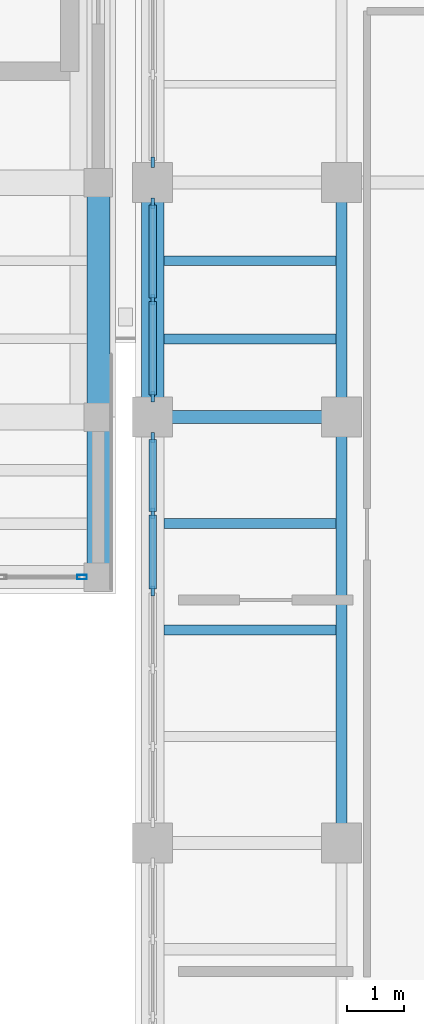
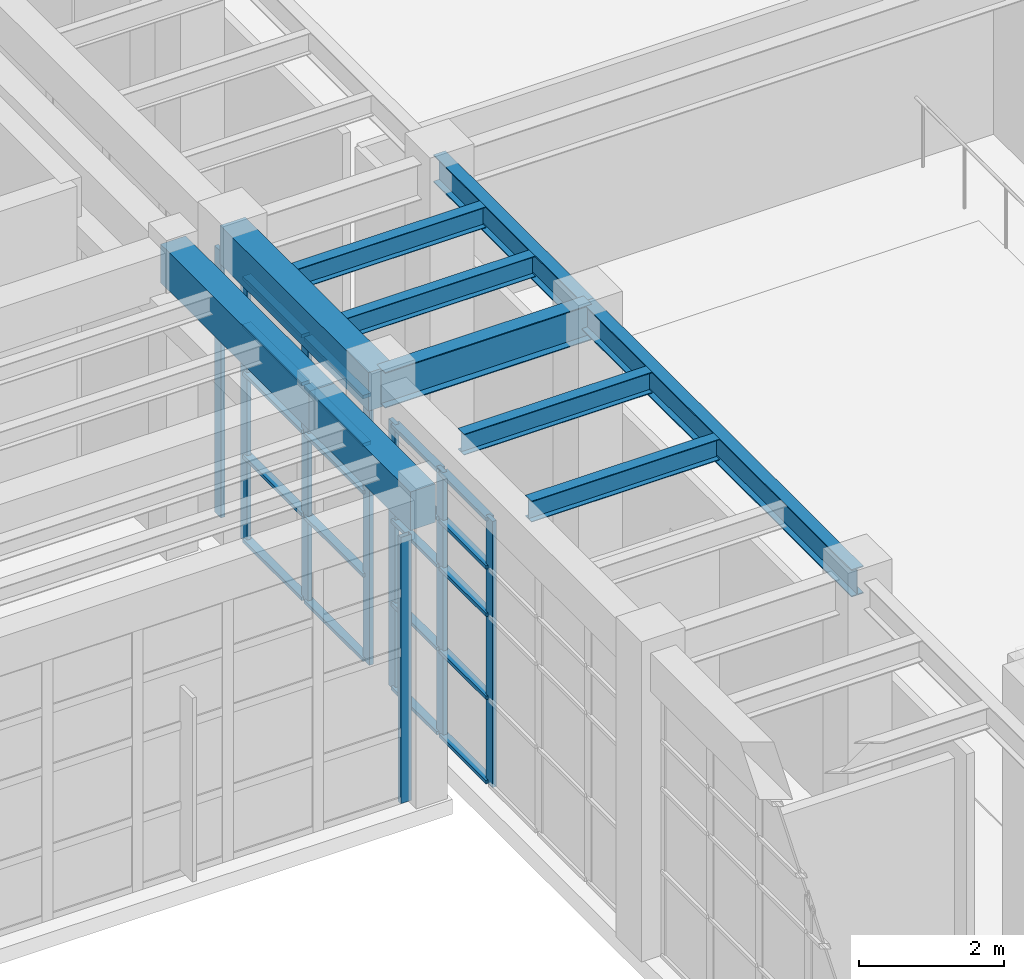
# One storey, part 37 of 103: 28 members, 10 beams, 4 elements without a shape of their own.
"""IFC4 building model written with IfcOpenShell, lengths in metres."""

import ifcopenshell
import ifcopenshell.guid

model = None  # the IFC model being written
_history = None  # IfcOwnerHistory: only IFC2X3 demands one
_inside = {}  # id of a spatial element -> (the spatial element, [elements in it])
_under = {}  # id of a project, library or spatial element -> (it, [spatial elements below it])
_declared = {}  # id of a project -> (the project, [libraries it declares])
_typed = {}  # id of a type object -> (the type object, [elements of that type])
_made_of = {}  # id of a material, layer set ... -> (it, [elements and type objects made of it])


def new_model(schema):
    """Start an empty IFC model of exactly this schema.

    Asked for "IFC4X3", IfcOpenShell would pick the latest addendum, in which some entities
    have other attributes; the version numbers below select the first issue.
    IFC2X3 requires an IfcOwnerHistory on every rooted entity: one is made here for all.
    """
    global model, _history
    if schema == "IFC4X3":
        model = ifcopenshell.file(schema_version=(4, 3, 0, 0))
    else:
        model = ifcopenshell.file(schema=schema)
    _inside.clear()
    _under.clear()
    _declared.clear()
    _typed.clear()
    _made_of.clear()
    _history = None
    if model.schema == "IFC2X3":
        org = make("IfcOrganization", Name="unknown")
        user = make(
            "IfcPersonAndOrganization",
            ThePerson=make("IfcPerson", FamilyName="unknown"),
            TheOrganization=org,
        )
        app = make(
            "IfcApplication",
            ApplicationDeveloper=org,
            Version="unknown",
            ApplicationFullName="unknown",
            ApplicationIdentifier="unknown",
        )
        _history = make(
            "IfcOwnerHistory",
            OwningUser=user,
            OwningApplication=app,
            ChangeAction="ADDED",
            CreationDate=0,
        )
    return model


def make(cls, **values):
    """One entity of the class cls with the attributes given. An attribute that is None is left unset."""
    return model.create_entity(
        cls, **{name: value for name, value in values.items() if value is not None}
    )


def rooted(cls, **values):
    """An entity with a GlobalId (a new one), such as an element, a storey or a relation."""
    return make(cls, GlobalId=ifcopenshell.guid.new(), OwnerHistory=_history, **values)


def si_unit(unit_type, name, prefix=None):
    """IfcSIUnit, for example si_unit("LENGTHUNIT", "METRE", prefix="MILLI")."""
    return make("IfcSIUnit", UnitType=unit_type, Prefix=prefix, Name=name)


def assignment(units):
    """IfcUnitAssignment: the units of a project."""
    return None if units is None else make("IfcUnitAssignment", Units=units)


def point(xyz):
    """IfcCartesianPoint."""
    return None if xyz is None else make("IfcCartesianPoint", Coordinates=xyz)


def direction(xyz):
    """IfcDirection."""
    return None if xyz is None else make("IfcDirection", DirectionRatios=xyz)


def frame(location, z_axis=None, x_axis=None):
    """IfcAxis2Placement3D, a coordinate frame: its origin and axes. An axis left out is left unset."""
    return make(
        "IfcAxis2Placement3D",
        Location=point(location),
        Axis=direction(z_axis),
        RefDirection=direction(x_axis),
    )


def frame_2d(location, x_axis=None):
    """IfcAxis2Placement2D, a coordinate frame in the plane: its origin and x axis."""
    return make(
        "IfcAxis2Placement2D", Location=point(location), RefDirection=direction(x_axis)
    )


def origin():
    """The frame at (0, 0, 0) with its axes left unset."""
    return frame((0.0, 0.0, 0.0))


def origin_2d():
    """The frame at (0, 0) in the plane with its x axis left unset."""
    return frame_2d((0.0, 0.0))


def place(relative_to, where):
    """IfcLocalPlacement: puts the frame where relative to a parent placement (None: the world)."""
    return make(
        "IfcLocalPlacement", PlacementRelTo=relative_to, RelativePlacement=where
    )


def context(
    kind, dimensions, precision=None, world=None, true_north=None, identifier=None
):
    """IfcGeometricRepresentationContext, for example the 3D "Model" context."""
    return make(
        "IfcGeometricRepresentationContext",
        ContextIdentifier=identifier,
        ContextType=kind,
        CoordinateSpaceDimension=dimensions,
        Precision=precision,
        WorldCoordinateSystem=world,
        TrueNorth=true_north,
    )


def subcontext(parent, identifier, kind, view, scale=None):
    """IfcGeometricRepresentationSubContext, for example "Body" below "Model"."""
    return make(
        "IfcGeometricRepresentationSubContext",
        ContextIdentifier=identifier,
        ContextType=kind,
        ParentContext=parent,
        TargetScale=scale,
        TargetView=view,
    )


def project(units=None, contexts=None):
    """IfcProject with its units and contexts."""
    return rooted(
        "IfcProject",
        Name="project",
        RepresentationContexts=contexts,
        UnitsInContext=assignment(units),
    )


def spatial(cls, under=None, at=None, **own):
    """A site, building, storey or space (cls), placed at a placement, below another one or the project."""
    s = rooted(cls, ObjectPlacement=at, **own)
    if under is not None:
        _under.setdefault(under.id(), (under, []))[1].append(s)
    return s


def profile(cls, at=None, kind="AREA", **sizes):
    """A parametric profile (cls). Its sizes go by their IFC names, for example OverallWidth=200.0."""
    return make(cls, ProfileType=kind, Position=at, **sizes)


def rectangle(**sizes):
    """IfcRectangleProfileDef."""
    return profile("IfcRectangleProfileDef", **sizes)


def hollow_rectangle(**sizes):
    """IfcRectangleHollowProfileDef."""
    return profile("IfcRectangleHollowProfileDef", **sizes)


def i_section(**sizes):
    """IfcIShapeProfileDef."""
    return profile("IfcIShapeProfileDef", **sizes)


def extrude(swept, where, along, depth):
    """IfcExtrudedAreaSolid: the profile swept, set in the frame where, extruded along a direction by depth."""
    return make(
        "IfcExtrudedAreaSolid",
        SweptArea=swept,
        Position=where,
        ExtrudedDirection=direction(along),
        Depth=depth,
    )


def shape(context_of_items, identifier, shape_type, items):
    """IfcShapeRepresentation: the items that make up one representation, for example the "Body"."""
    return make(
        "IfcShapeRepresentation",
        ContextOfItems=context_of_items,
        RepresentationIdentifier=identifier,
        RepresentationType=shape_type,
        Items=items,
    )


def material(Name=None, Category=None):
    """IfcMaterial."""
    return make("IfcMaterial", Name=Name, Category=Category)


def layer(
    of_material, thickness, ventilated=None, Name=None, Category=None, Priority=None
):
    """IfcMaterialLayer: one layer of a wall or slab, of a material (None: an air gap)."""
    return make(
        "IfcMaterialLayer",
        Material=of_material,
        LayerThickness=thickness,
        IsVentilated=ventilated,
        Name=Name,
        Category=Category,
        Priority=Priority,
    )


def layer_set(layers, Name=None):
    """IfcMaterialLayerSet."""
    return make("IfcMaterialLayerSet", MaterialLayers=layers, LayerSetName=Name)


def material_profile(
    of_material, cross_section, Name=None, Category=None, Priority=None
):
    """IfcMaterialProfile: a cross section and its material."""
    return make(
        "IfcMaterialProfile",
        Name=Name,
        Material=of_material,
        Profile=cross_section,
        Priority=Priority,
        Category=Category,
    )


def profile_set(profiles, Name=None, composite=None):
    """IfcMaterialProfileSet."""
    return make(
        "IfcMaterialProfileSet",
        Name=Name,
        MaterialProfiles=profiles,
        CompositeProfile=composite,
    )


def made_of(thing, what):
    """Note that an element or type object is made of a material, layer set ...; save() writes the relation."""
    if what is not None:
        _made_of.setdefault(what.id(), (what, []))[1].append(thing)
    return thing


def type_object(cls, material=None, **own):
    """A type object (cls), such as IfcWallType, which elements share."""
    return made_of(rooted(cls, **own), material)


def element(
    cls,
    number,
    at=None,
    inside=None,
    cuts=None,
    type_object=None,
    material=None,
    context=None,
    identifier="Body",
    shape_type=None,
    held_by="IfcProductDefinitionShape",
    body=None,
    shapes=None,
    **own,
):
    """One element of the class cls, such as IfcWall. Its Tag is "e" and its number.

    at: its placement. inside: the storey or other place that contains it. cuts: it is an
    opening in that element (IfcRelVoidsElement). A single representation is given by context,
    identifier, shape_type and body (its items); several are given by shapes. held_by: the class
    of the entity that holds the representations. save() writes the other relations.
    """
    e = rooted(cls, Tag="e%d" % number, ObjectPlacement=at, **own)
    if body is not None:
        shapes = [shape(context, identifier, shape_type, body)]
    if shapes is not None:
        e.Representation = make(held_by, Representations=shapes)
    if inside is not None:
        _inside.setdefault(inside.id(), (inside, []))[1].append(e)
    if cuts is not None:
        rooted(
            "IfcRelVoidsElement", RelatingBuildingElement=cuts, RelatedOpeningElement=e
        )
    if type_object is not None:
        _typed.setdefault(type_object.id(), (type_object, []))[1].append(e)
    return made_of(e, material)


def aggregate(whole, parts):
    """IfcRelAggregates: a whole, such as a stair, and the parts it consists of."""
    return rooted("IfcRelAggregates", RelatingObject=whole, RelatedObjects=parts)


def save(model, path):
    """Write the relations noted so far, then the file.

    IfcRelAggregates (storeys below a building ...), IfcRelContainedInSpatialStructure (elements
    in a storey), IfcRelDefinesByType, IfcRelAssociatesMaterial and IfcRelDeclares: one each for
    every whole, place, type object, material and project.
    """
    for whole, parts in _under.values():
        aggregate(whole, parts)
    for where, things in _inside.values():
        rooted(
            "IfcRelContainedInSpatialStructure",
            RelatedElements=things,
            RelatingStructure=where,
        )
    for kind, things in _typed.values():
        rooted("IfcRelDefinesByType", RelatedObjects=things, RelatingType=kind)
    for what, things in _made_of.values():
        rooted("IfcRelAssociatesMaterial", RelatedObjects=things, RelatingMaterial=what)
    for by, libraries in _declared.values():
        rooted("IfcRelDeclares", RelatingContext=by, RelatedDefinitions=libraries)
    model.write(path)


model = new_model("IFC4")

# Units and contexts
model_context = context("Model", 3, precision=1e-05, world=origin(), true_north=direction((0.0, 1.0)))
body_context = subcontext(model_context, "Body", "Model", "MODEL_VIEW")
ifc_project = project(units=[si_unit("LENGTHUNIT", "METRE"), si_unit("AREAUNIT", "SQUARE_METRE"), si_unit("VOLUMEUNIT", "CUBIC_METRE"), si_unit("PLANEANGLEUNIT", "RADIAN"), si_unit("MASSUNIT", "GRAM", prefix="KILO")], contexts=[model_context])

# Site, building, storey
site_placement = place(None, origin())
site = spatial("IfcSite", under=ifc_project, at=site_placement, CompositionType="ELEMENT")
building_placement = place(site_placement, origin())
building = spatial("IfcBuilding", under=site, at=building_placement, Name="Candilejo Ridge Gondola Terminal", CompositionType="ELEMENT")
storey_placement = place(building_placement, frame((0.0, 0.0, 9.0)))
storey = spatial("IfcBuildingStorey", under=building, at=storey_placement, Name="L02", CompositionType="ELEMENT", Elevation=9.0)

# Curtain wall, member
ifc_material_1 = material(Name="Anodised aluminium AA 6063-T6", Category="aluminium")
ifc_layer_1 = layer(ifc_material_1, 0.169921875)
ifc_layer_set_1 = layer_set([ifc_layer_1], Name="ARC-CW-CONCOURSE-3600-720X449")
curtain_wall_type_1 = type_object("IfcCurtainWallType", Name="ARC-CW-CONCOURSE-3600-720X449", PredefinedType="NOTDEFINED", material=ifc_layer_set_1)
curtain_wall_1_placement = place(storey_placement, origin())
curtain_wall_1 = element("IfcCurtainWall", 1, at=curtain_wall_1_placement, inside=storey, type_object=curtain_wall_type_1, Name="Curtain wall V3 L02-093", PredefinedType="NOTDEFINED")
ifc_material_2 = material(Name="Anodised aluminium AA 6063-T6", Category="aluminium")
ifc_material_profile_1 = material_profile(ifc_material_2, hollow_rectangle(XDim=0.074951171875, YDim=0.169921875, WallThickness=0.00390625, at=origin_2d()))
ifc_profile_set_1 = profile_set([ifc_material_profile_1], Name="Anodised aluminium AA 6063-T6")
member_type_1 = type_object("IfcMemberType", Name="ARC-CW-MULLION", PredefinedType="MULLION", material=ifc_profile_set_1)
member_1_placement = place(storey_placement, frame((132.66259765625, 22.89990234375, 0.0), z_axis=(0.0, 0.0, 1.0), x_axis=(0.0, 1.0, 0.0)))
member_1 = element("IfcMember", 2, at=member_1_placement, type_object=member_type_1, Name="CW-72X44 mullion 6", PredefinedType="MULLION", context=body_context, shape_type="SweptSolid", body=[
    extrude(hollow_rectangle(XDim=0.074951171875, YDim=0.169921875, WallThickness=0.00390625, at=origin_2d()), origin(), (0.0, 0.0, 1.0), 4.489990234375),
])
aggregate(curtain_wall_1, [member_1])

# Curtain wall, members
ifc_material_3 = material(Name="Anodised aluminium AA 6063-T6", Category="aluminium")
ifc_layer_2 = layer(ifc_material_3, 0.169921875)
ifc_layer_set_2 = layer_set([ifc_layer_2], Name="ARC-CW-HALL-3800-680X449")
curtain_wall_type_2 = type_object("IfcCurtainWallType", Name="ARC-CW-HALL-3800-680X449", PredefinedType="NOTDEFINED", material=ifc_layer_set_2)
curtain_wall_2_placement = place(storey_placement, origin())
curtain_wall_2 = element("IfcCurtainWall", 3, at=curtain_wall_2_placement, inside=storey, type_object=curtain_wall_type_2, Name="Curtain wall V4 L02-135", PredefinedType="NOTDEFINED")
ifc_material_4 = material(Name="Anodised aluminium AA 6063-T6", Category="aluminium")
ifc_material_profile_2 = material_profile(ifc_material_4, rectangle(XDim=0.06494140625, YDim=0.179931640625, at=origin_2d()))
ifc_profile_set_2 = profile_set([ifc_material_profile_2], Name="Anodised aluminium AA 6063-T6")
member_type_2 = type_object("IfcMemberType", Name="ARC-CW-MULLION-180", PredefinedType="MULLION", material=ifc_profile_set_2)
member_2_placement = place(storey_placement, frame((133.89990234375, 22.655029296875, 0.0), z_axis=(0.0, 0.0, 1.0), x_axis=(-1.0, 0.0, 0.0)))
member_2 = element("IfcMember", 4, at=member_2_placement, type_object=member_type_2, Name="CW-68X44 mullion 4", PredefinedType="MULLION", context=body_context, shape_type="SweptSolid", body=[
    extrude(rectangle(XDim=0.06494140625, YDim=0.179931640625, at=origin_2d()), origin(), (0.0, 0.0, 1.0), 4.489990234375),
])
member_3_placement = place(storey_placement, frame((133.89990234375, 24.014892578125, 0.0), z_axis=(0.0, 0.0, 1.0), x_axis=(-1.0, 0.0, 0.0)))
member_3 = element("IfcMember", 5, at=member_3_placement, type_object=member_type_2, Name="CW-68X44 mullion 5", PredefinedType="MULLION", context=body_context, shape_type="SweptSolid", body=[
    extrude(rectangle(XDim=0.06494140625, YDim=0.179931640625, at=origin_2d()), origin(), (0.0, 0.0, 1.0), 4.489990234375),
])
member_4_placement = place(storey_placement, frame((133.89990234375, 25.342529296875, 0.0), z_axis=(0.0, 0.0, 1.0), x_axis=(-1.0, 0.0, 0.0)))
member_4 = element("IfcMember", 6, at=member_4_placement, type_object=member_type_2, Name="CW-68X44 mullion 6", PredefinedType="MULLION", context=body_context, shape_type="SweptSolid", body=[
    extrude(rectangle(XDim=0.06494140625, YDim=0.179931640625, at=origin_2d()), origin(), (0.0, 0.0, 1.0), 4.489990234375),
])

ifc_material_5 = material(Name="Anodised aluminium AA 6063-T6", Category="aluminium")
ifc_layer_3 = layer(ifc_material_5, 0.169921875)
ifc_layer_set_3 = layer_set([ifc_layer_3], Name="ARC-CW-HALL-3800-345X449")
curtain_wall_type_3 = type_object("IfcCurtainWallType", Name="ARC-CW-HALL-3800-345X449", PredefinedType="NOTDEFINED", material=ifc_layer_set_3)
curtain_wall_3_placement = place(storey_placement, origin())
curtain_wall_3 = element("IfcCurtainWall", 7, at=curtain_wall_3_placement, inside=storey, type_object=curtain_wall_type_3, Name="Curtain wall V4 L02-137", PredefinedType="NOTDEFINED")
member_5_placement = place(storey_placement, frame((133.89990234375, 26.0576171875, 0.0), z_axis=(0.0, 0.0, 1.0), x_axis=(-1.0, 0.0, 0.0)))
member_5 = element("IfcMember", 8, at=member_5_placement, type_object=member_type_2, Name="CW-34X44 mullion 1", PredefinedType="MULLION", context=body_context, shape_type="SweptSolid", body=[
    extrude(rectangle(XDim=0.06494140625, YDim=0.179931640625, at=origin_2d()), origin(), (0.0, 0.0, 1.0), 4.489990234375),
])
member_6_placement = place(storey_placement, frame((133.89990234375, 27.75, 0.0), z_axis=(0.0, 0.0, 1.0), x_axis=(-1.0, 0.0, 0.0)))
member_6 = element("IfcMember", 9, at=member_6_placement, type_object=member_type_2, Name="CW-34X44 mullion 2", PredefinedType="MULLION", context=body_context, shape_type="SweptSolid", body=[
    extrude(rectangle(XDim=0.06494140625, YDim=0.179931640625, at=origin_2d()), origin(), (0.0, 0.0, 1.0), 4.489990234375),
])
member_7_placement = place(storey_placement, frame((133.89990234375, 29.4423828125, 0.0), z_axis=(0.0, 0.0, 1.0), x_axis=(-1.0, 0.0, 0.0)))
member_7 = element("IfcMember", 10, at=member_7_placement, type_object=member_type_2, Name="CW-34X44 mullion 3", PredefinedType="MULLION", context=body_context, shape_type="SweptSolid", body=[
    extrude(rectangle(XDim=0.06494140625, YDim=0.179931640625, at=origin_2d()), origin(), (0.0, 0.0, 1.0), 4.489990234375),
])

# Curtain wall, member
ifc_material_6 = material(Name="Anodised aluminium AA 6063-T6", Category="aluminium")
ifc_layer_4 = layer(ifc_material_6, 0.169921875)
ifc_layer_set_4 = layer_set([ifc_layer_4], Name="ARC-CW-HALL-3800-625X449")
curtain_wall_type_4 = type_object("IfcCurtainWallType", Name="ARC-CW-HALL-3800-625X449", PredefinedType="NOTDEFINED", material=ifc_layer_set_4)
curtain_wall_4_placement = place(storey_placement, origin())
curtain_wall_4 = element("IfcCurtainWall", 11, at=curtain_wall_4_placement, inside=storey, type_object=curtain_wall_type_4, Name="Curtain wall V4 L02-139", PredefinedType="NOTDEFINED")
member_8_placement = place(storey_placement, frame((133.89990234375, 30.157470703125, 0.0), z_axis=(0.0, 0.0, 1.0), x_axis=(-1.0, 0.0, 0.0)))
member_8 = element("IfcMember", 12, at=member_8_placement, type_object=member_type_2, Name="CW-62X44 mullion 1", PredefinedType="MULLION", context=body_context, shape_type="SweptSolid", body=[
    extrude(rectangle(XDim=0.06494140625, YDim=0.179931640625, at=origin_2d()), origin(), (0.0, 0.0, 1.0), 4.489990234375),
])
aggregate(curtain_wall_4, [member_8])

# Member
ifc_material_7 = material(Name="Anodised aluminium AA 6063-T6", Category="aluminium")
ifc_material_profile_3 = material_profile(ifc_material_7, rectangle(XDim=0.1298828125, YDim=0.06005859375, at=origin_2d()))
ifc_profile_set_3 = profile_set([ifc_material_profile_3], Name="Anodised aluminium AA 6063-T6")
member_type_3 = type_object("IfcMemberType", Name="ARC-CW-TRANSOM-130", PredefinedType="USERDEFINED", material=ifc_profile_set_3)
member_9_placement = place(storey_placement, frame((133.89990234375, 22.6875, 0.030029296875), z_axis=(0.0, 1.0, 0.0), x_axis=(-1.0, 0.0, 0.0)))
member_9 = element("IfcMember", 13, at=member_9_placement, type_object=member_type_3, Name="CW-68X44 transom 4.1", ObjectType="TRANSOM", PredefinedType="USERDEFINED", context=body_context, shape_type="SweptSolid", body=[
    extrude(rectangle(XDim=0.1298828125, YDim=0.06005859375, at=origin_2d()), origin(), (0.0, 0.0, 1.0), 1.294921875),
])

member_10_placement = place(storey_placement, frame((133.89990234375, 22.6875, 1.449951171875), z_axis=(0.0, 1.0, 0.0), x_axis=(-1.0, 0.0, 0.0)))
member_10 = element("IfcMember", 14, at=member_10_placement, type_object=member_type_3, Name="CW-68X44 transom 4.2", ObjectType="TRANSOM", PredefinedType="USERDEFINED", context=body_context, shape_type="SweptSolid", body=[
    extrude(rectangle(XDim=0.1298828125, YDim=0.06005859375, at=origin_2d()), origin(), (0.0, 0.0, 1.0), 1.294921875),
])

member_11_placement = place(storey_placement, frame((133.89990234375, 22.6875, 2.85009765625), z_axis=(0.0, 1.0, 0.0), x_axis=(-1.0, 0.0, 0.0)))
member_11 = element("IfcMember", 15, at=member_11_placement, type_object=member_type_3, Name="CW-68X44 transom 4.3", ObjectType="TRANSOM", PredefinedType="USERDEFINED", context=body_context, shape_type="SweptSolid", body=[
    extrude(rectangle(XDim=0.1298828125, YDim=0.06005859375, at=origin_2d()), origin(), (0.0, 0.0, 1.0), 1.294921875),
])

member_12_placement = place(storey_placement, frame((133.89990234375, 22.6875, 3.64990234375), z_axis=(0.0, 1.0, 0.0), x_axis=(-1.0, 0.0, 0.0)))
member_12 = element("IfcMember", 16, at=member_12_placement, type_object=member_type_3, Name="CW-68X44 transom 4.4", ObjectType="TRANSOM", PredefinedType="USERDEFINED", context=body_context, shape_type="SweptSolid", body=[
    extrude(rectangle(XDim=0.1298828125, YDim=0.06005859375, at=origin_2d()), origin(), (0.0, 0.0, 1.0), 1.294921875),
])

member_13_placement = place(storey_placement, frame((133.89990234375, 22.6875, 4.4599609375), z_axis=(0.0, 1.0, 0.0), x_axis=(-1.0, 0.0, 0.0)))
member_13 = element("IfcMember", 17, at=member_13_placement, type_object=member_type_3, Name="CW-68X44 transom 4.5", ObjectType="TRANSOM", PredefinedType="USERDEFINED", context=body_context, shape_type="SweptSolid", body=[
    extrude(rectangle(XDim=0.1298828125, YDim=0.06005859375, at=origin_2d()), origin(), (0.0, 0.0, 1.0), 1.294921875),
])

member_14_placement = place(storey_placement, frame((133.89990234375, 24.047607421875, 0.030029296875), z_axis=(0.0, 1.0, 0.0), x_axis=(-1.0, 0.0, 0.0)))
member_14 = element("IfcMember", 18, at=member_14_placement, type_object=member_type_3, Name="CW-68X44 transom 5.1", ObjectType="TRANSOM", PredefinedType="USERDEFINED", context=body_context, shape_type="SweptSolid", body=[
    extrude(rectangle(XDim=0.1298828125, YDim=0.06005859375, at=origin_2d()), origin(), (0.0, 0.0, 1.0), 1.262451171875),
])

member_15_placement = place(storey_placement, frame((133.89990234375, 24.047607421875, 1.449951171875), z_axis=(0.0, 1.0, 0.0), x_axis=(-1.0, 0.0, 0.0)))
member_15 = element("IfcMember", 19, at=member_15_placement, type_object=member_type_3, Name="CW-68X44 transom 5.2", ObjectType="TRANSOM", PredefinedType="USERDEFINED", context=body_context, shape_type="SweptSolid", body=[
    extrude(rectangle(XDim=0.1298828125, YDim=0.06005859375, at=origin_2d()), origin(), (0.0, 0.0, 1.0), 1.262451171875),
])

member_16_placement = place(storey_placement, frame((133.89990234375, 24.047607421875, 2.85009765625), z_axis=(0.0, 1.0, 0.0), x_axis=(-1.0, 0.0, 0.0)))
member_16 = element("IfcMember", 20, at=member_16_placement, type_object=member_type_3, Name="CW-68X44 transom 5.3", ObjectType="TRANSOM", PredefinedType="USERDEFINED", context=body_context, shape_type="SweptSolid", body=[
    extrude(rectangle(XDim=0.1298828125, YDim=0.06005859375, at=origin_2d()), origin(), (0.0, 0.0, 1.0), 1.262451171875),
])

member_17_placement = place(storey_placement, frame((133.89990234375, 24.047607421875, 3.64990234375), z_axis=(0.0, 1.0, 0.0), x_axis=(-1.0, 0.0, 0.0)))
member_17 = element("IfcMember", 21, at=member_17_placement, type_object=member_type_3, Name="CW-68X44 transom 5.4", ObjectType="TRANSOM", PredefinedType="USERDEFINED", context=body_context, shape_type="SweptSolid", body=[
    extrude(rectangle(XDim=0.1298828125, YDim=0.06005859375, at=origin_2d()), origin(), (0.0, 0.0, 1.0), 1.262451171875),
])

member_18_placement = place(storey_placement, frame((133.89990234375, 24.047607421875, 4.4599609375), z_axis=(0.0, 1.0, 0.0), x_axis=(-1.0, 0.0, 0.0)))
member_18 = element("IfcMember", 22, at=member_18_placement, type_object=member_type_3, Name="CW-68X44 transom 5.5", ObjectType="TRANSOM", PredefinedType="USERDEFINED", context=body_context, shape_type="SweptSolid", body=[
    extrude(rectangle(XDim=0.1298828125, YDim=0.06005859375, at=origin_2d()), origin(), (0.0, 0.0, 1.0), 1.262451171875),
])

aggregate(curtain_wall_2, [member_2, member_3, member_4, member_9, member_10, member_11, member_12, member_13, member_14, member_15, member_16, member_17, member_18])

member_19_placement = place(storey_placement, frame((133.89990234375, 26.090087890625, 0.030029296875), z_axis=(0.0, 1.0, 0.0), x_axis=(-1.0, 0.0, 0.0)))
member_19 = element("IfcMember", 23, at=member_19_placement, type_object=member_type_3, Name="CW-34X44 transom 1.1", ObjectType="TRANSOM", PredefinedType="USERDEFINED", context=body_context, shape_type="SweptSolid", body=[
    extrude(rectangle(XDim=0.1298828125, YDim=0.06005859375, at=origin_2d()), origin(), (0.0, 0.0, 1.0), 1.62744140625),
])

member_20_placement = place(storey_placement, frame((133.89990234375, 26.090087890625, 1.449951171875), z_axis=(0.0, 1.0, 0.0), x_axis=(-1.0, 0.0, 0.0)))
member_20 = element("IfcMember", 24, at=member_20_placement, type_object=member_type_3, Name="CW-34X44 transom 1.2", ObjectType="TRANSOM", PredefinedType="USERDEFINED", context=body_context, shape_type="SweptSolid", body=[
    extrude(rectangle(XDim=0.1298828125, YDim=0.06005859375, at=origin_2d()), origin(), (0.0, 0.0, 1.0), 1.62744140625),
])

member_21_placement = place(storey_placement, frame((133.89990234375, 26.090087890625, 2.85009765625), z_axis=(0.0, 1.0, 0.0), x_axis=(-1.0, 0.0, 0.0)))
member_21 = element("IfcMember", 25, at=member_21_placement, type_object=member_type_3, Name="CW-34X44 transom 1.3", ObjectType="TRANSOM", PredefinedType="USERDEFINED", context=body_context, shape_type="SweptSolid", body=[
    extrude(rectangle(XDim=0.1298828125, YDim=0.06005859375, at=origin_2d()), origin(), (0.0, 0.0, 1.0), 1.62744140625),
])

member_22_placement = place(storey_placement, frame((133.89990234375, 26.090087890625, 3.64990234375), z_axis=(0.0, 1.0, 0.0), x_axis=(-1.0, 0.0, 0.0)))
member_22 = element("IfcMember", 26, at=member_22_placement, type_object=member_type_3, Name="CW-34X44 transom 1.4", ObjectType="TRANSOM", PredefinedType="USERDEFINED", context=body_context, shape_type="SweptSolid", body=[
    extrude(rectangle(XDim=0.1298828125, YDim=0.06005859375, at=origin_2d()), origin(), (0.0, 0.0, 1.0), 1.62744140625),
])

member_23_placement = place(storey_placement, frame((133.89990234375, 26.090087890625, 4.4599609375), z_axis=(0.0, 1.0, 0.0), x_axis=(-1.0, 0.0, 0.0)))
member_23 = element("IfcMember", 27, at=member_23_placement, type_object=member_type_3, Name="CW-34X44 transom 1.5", ObjectType="TRANSOM", PredefinedType="USERDEFINED", context=body_context, shape_type="SweptSolid", body=[
    extrude(rectangle(XDim=0.1298828125, YDim=0.06005859375, at=origin_2d()), origin(), (0.0, 0.0, 1.0), 1.62744140625),
])

member_24_placement = place(storey_placement, frame((133.89990234375, 27.782470703125, 0.030029296875), z_axis=(0.0, 1.0, 0.0), x_axis=(-1.0, 0.0, 0.0)))
member_24 = element("IfcMember", 28, at=member_24_placement, type_object=member_type_3, Name="CW-34X44 transom 2.1", ObjectType="TRANSOM", PredefinedType="USERDEFINED", context=body_context, shape_type="SweptSolid", body=[
    extrude(rectangle(XDim=0.1298828125, YDim=0.06005859375, at=origin_2d()), origin(), (0.0, 0.0, 1.0), 1.62744140625),
])

member_25_placement = place(storey_placement, frame((133.89990234375, 27.782470703125, 1.449951171875), z_axis=(0.0, 1.0, 0.0), x_axis=(-1.0, 0.0, 0.0)))
member_25 = element("IfcMember", 29, at=member_25_placement, type_object=member_type_3, Name="CW-34X44 transom 2.2", ObjectType="TRANSOM", PredefinedType="USERDEFINED", context=body_context, shape_type="SweptSolid", body=[
    extrude(rectangle(XDim=0.1298828125, YDim=0.06005859375, at=origin_2d()), origin(), (0.0, 0.0, 1.0), 1.62744140625),
])

member_26_placement = place(storey_placement, frame((133.89990234375, 27.782470703125, 2.85009765625), z_axis=(0.0, 1.0, 0.0), x_axis=(-1.0, 0.0, 0.0)))
member_26 = element("IfcMember", 30, at=member_26_placement, type_object=member_type_3, Name="CW-34X44 transom 2.3", ObjectType="TRANSOM", PredefinedType="USERDEFINED", context=body_context, shape_type="SweptSolid", body=[
    extrude(rectangle(XDim=0.1298828125, YDim=0.06005859375, at=origin_2d()), origin(), (0.0, 0.0, 1.0), 1.62744140625),
])

member_27_placement = place(storey_placement, frame((133.89990234375, 27.782470703125, 3.64990234375), z_axis=(0.0, 1.0, 0.0), x_axis=(-1.0, 0.0, 0.0)))
member_27 = element("IfcMember", 31, at=member_27_placement, type_object=member_type_3, Name="CW-34X44 transom 2.4", ObjectType="TRANSOM", PredefinedType="USERDEFINED", context=body_context, shape_type="SweptSolid", body=[
    extrude(rectangle(XDim=0.1298828125, YDim=0.06005859375, at=origin_2d()), origin(), (0.0, 0.0, 1.0), 1.62744140625),
])

member_28_placement = place(storey_placement, frame((133.89990234375, 27.782470703125, 4.4599609375), z_axis=(0.0, 1.0, 0.0), x_axis=(-1.0, 0.0, 0.0)))
member_28 = element("IfcMember", 32, at=member_28_placement, type_object=member_type_3, Name="CW-34X44 transom 2.5", ObjectType="TRANSOM", PredefinedType="USERDEFINED", context=body_context, shape_type="SweptSolid", body=[
    extrude(rectangle(XDim=0.1298828125, YDim=0.06005859375, at=origin_2d()), origin(), (0.0, 0.0, 1.0), 1.62744140625),
])

aggregate(curtain_wall_3, [member_5, member_6, member_7, member_19, member_20, member_21, member_22, member_23, member_24, member_25, member_26, member_27, member_28])

# Beams
ifc_material_8 = material(Name="Steel ASTM A992 Grade 50", Category="steel")
ifc_material_profile_4 = material_profile(ifc_material_8, i_section(OverallWidth=0.19189453125, OverallDepth=0.462890625, WebThickness=0.010498046875, FlangeThickness=0.017578125, at=origin_2d()))
ifc_profile_set_4 = profile_set([ifc_material_profile_4], Name="Steel ASTM A992 Grade 50")
beam_type_1 = type_object("IfcBeamType", Name="STR-BM-W460X89", PredefinedType="BEAM", material=ifc_profile_set_4)
beam_1_placement = place(storey_placement, frame((137.199951171875, 18.25, 4.928466796875), z_axis=(0.0, 1.0, 0.0), x_axis=(-1.0, 0.0, 0.0)))
element("IfcBeam", 33, at=beam_1_placement, inside=storey, type_object=beam_type_1, Name="Beam Y V4 L02 Y03-Y05@X22", PredefinedType="BEAM", context=body_context, shape_type="SweptSolid", body=[
    extrude(i_section(OverallWidth=0.19189453125, OverallDepth=0.462890625, WebThickness=0.010498046875, FlangeThickness=0.017578125, at=origin_2d()), origin(), (0.0, 0.0, 1.0), 7.449951171875),
])
beam_2_placement = place(storey_placement, frame((137.199951171875, 25.699951171875, 4.928466796875), z_axis=(0.0, 1.0, 0.0), x_axis=(-1.0, 0.0, 0.0)))
element("IfcBeam", 34, at=beam_2_placement, inside=storey, type_object=beam_type_1, Name="Beam Y V4 L02 Y05-Y06@X22", PredefinedType="BEAM", context=body_context, shape_type="SweptSolid", body=[
    extrude(i_section(OverallWidth=0.19189453125, OverallDepth=0.462890625, WebThickness=0.010498046875, FlangeThickness=0.017578125, at=origin_2d()), origin(), (0.0, 0.0, 1.0), 4.10009765625),
])
ifc_material_9 = material(Name="Steel ASTM A992 Grade 50", Category="steel")
ifc_material_profile_5 = material_profile(ifc_material_9, i_section(OverallWidth=0.22802734375, OverallDepth=0.60302734375, WebThickness=0.010498046875, FlangeThickness=0.014892578125, at=origin_2d()))
ifc_profile_set_5 = profile_set([ifc_material_profile_5], Name="Steel ASTM A992 Grade 50")
beam_type_2 = type_object("IfcBeamType", Name="STR-BM-W610X101", PredefinedType="BEAM", material=ifc_profile_set_5)
beam_3_placement = place(storey_placement, frame((133.89990234375, 25.699951171875, 4.8583984375), z_axis=(1.0, 0.0, 0.0), x_axis=(0.0, 1.0, 0.0)))
element("IfcBeam", 35, at=beam_3_placement, inside=storey, type_object=beam_type_2, Name="Beam X V4 L02 X21-X22@Y05", PredefinedType="BEAM", context=body_context, shape_type="SweptSolid", body=[
    extrude(i_section(OverallWidth=0.22802734375, OverallDepth=0.60302734375, WebThickness=0.010498046875, FlangeThickness=0.014892578125, at=origin_2d()), origin(), (0.0, 0.0, 1.0), 3.300048828125),
])
ifc_material_10 = material(Name="Steel ASTM A992 Grade 50", Category="steel")
ifc_material_profile_6 = material_profile(ifc_material_10, i_section(OverallWidth=0.1708984375, OverallDepth=0.35205078125, WebThickness=0.0068359375, FlangeThickness=0.009765625, at=origin_2d()))
ifc_profile_set_6 = profile_set([ifc_material_profile_6], Name="Steel ASTM A992 Grade 50")
beam_type_3 = type_object("IfcBeamType", Name="STR-JST-W360X44", PredefinedType="JOIST", material=ifc_profile_set_6)
for number, where, z_axis, x_axis, name in (
    (36, (134.10009765625, 27.066650390625, 4.98388671875), (1.0, 0.0, 0.0), (0.0, 1.0, 0.0), "Composite joist V4 L02-0975"),
    (37, (134.10009765625, 28.433349609375, 4.98388671875), (1.0, 0.0, 0.0), (0.0, 1.0, 0.0), "Composite joist V4 L02-0976"),
):
    element("IfcBeam", number, at=place(storey_placement, frame(where, z_axis=z_axis, x_axis=x_axis)), inside=storey, type_object=beam_type_3, Name=name, PredefinedType="JOIST", context=body_context, shape_type="SweptSolid", body=[
        extrude(i_section(OverallWidth=0.1708984375, OverallDepth=0.35205078125, WebThickness=0.0068359375, FlangeThickness=0.009765625, at=origin_2d()), origin(), (0.0, 0.0, 1.0), 3.00390625),
    ])
ifc_material_11 = material(Name="Steel ASTM A992 Grade 50", Category="steel")
ifc_material_profile_7 = material_profile(ifc_material_11, i_section(OverallWidth=0.1708984375, OverallDepth=0.35498046875, WebThickness=0.007080078125, FlangeThickness=0.01171875, at=origin_2d()))
ifc_profile_set_7 = profile_set([ifc_material_profile_7], Name="Steel ASTM A992 Grade 50")
beam_type_4 = type_object("IfcBeamType", Name="STR-JST-W360X51", PredefinedType="JOIST", material=ifc_profile_set_7)
for number, where, z_axis, x_axis, name in (
    (38, (134.10009765625, 21.97509765625, 4.982421875), (1.0, 0.0, 0.0), (0.0, 1.0, 0.0), "Composite joist V4 L02-0973"),
    (39, (134.10009765625, 23.83740234375, 4.982421875), (1.0, 0.0, 0.0), (0.0, 1.0, 0.0), "Composite joist V4 L02-0974"),
):
    element("IfcBeam", number, at=place(storey_placement, frame(where, z_axis=z_axis, x_axis=x_axis)), inside=storey, type_object=beam_type_4, Name=name, PredefinedType="JOIST", context=body_context, shape_type="SweptSolid", body=[
        extrude(i_section(OverallWidth=0.1708984375, OverallDepth=0.35498046875, WebThickness=0.007080078125, FlangeThickness=0.01171875, at=origin_2d()), origin(), (0.0, 0.0, 1.0), 3.00390625),
    ])
ifc_material_12 = material(Name="Concrete f'c 35 MPa (C35/45)", Category="concrete")
ifc_material_profile_8 = material_profile(ifc_material_12, rectangle(XDim=0.39990234375, YDim=0.64990234375, at=origin_2d()))
ifc_profile_set_8 = profile_set([ifc_material_profile_8], Name="Concrete f'c 35 MPa (C35/45)")
beam_type_5 = type_object("IfcBeamType", Name="STR-SPN-RC400X650", PredefinedType="SPANDREL", material=ifc_profile_set_8)
beam_4_placement = place(storey_placement, frame((132.949951171875, 22.89990234375, 4.85009765625), z_axis=(0.0, 1.0, 0.0), x_axis=(-1.0, 0.0, 0.0)))
element("IfcBeam", 40, at=beam_4_placement, inside=storey, type_object=beam_type_5, Name="Beam Y V3 L02 Y04-Y05@X20", PredefinedType="SPANDREL", context=body_context, shape_type="SweptSolid", body=[
    extrude(rectangle(XDim=0.39990234375, YDim=0.64990234375, at=origin_2d()), origin(), (0.0, 0.0, 1.0), 2.800048828125),
])
for number, where, z_axis, x_axis, name in (
    (41, (132.949951171875, 25.699951171875, 4.85009765625), (0.0, 1.0, 0.0), (-1.0, 0.0, 0.0), "Beam Y V3 L02 Y05-Y06@X20"),
    (42, (133.89990234375, 25.699951171875, 4.8349609375), (0.0, 1.0, 0.0), (-1.0, 0.0, 0.0), "Beam Y V4 L02 Y05-Y06@X21"),
):
    element("IfcBeam", number, at=place(storey_placement, frame(where, z_axis=z_axis, x_axis=x_axis)), inside=storey, type_object=beam_type_5, Name=name, PredefinedType="SPANDREL", context=body_context, shape_type="SweptSolid", body=[
        extrude(rectangle(XDim=0.39990234375, YDim=0.64990234375, at=origin_2d()), origin(), (0.0, 0.0, 1.0), 4.10009765625),
    ])

save(model, "model.ifc")
